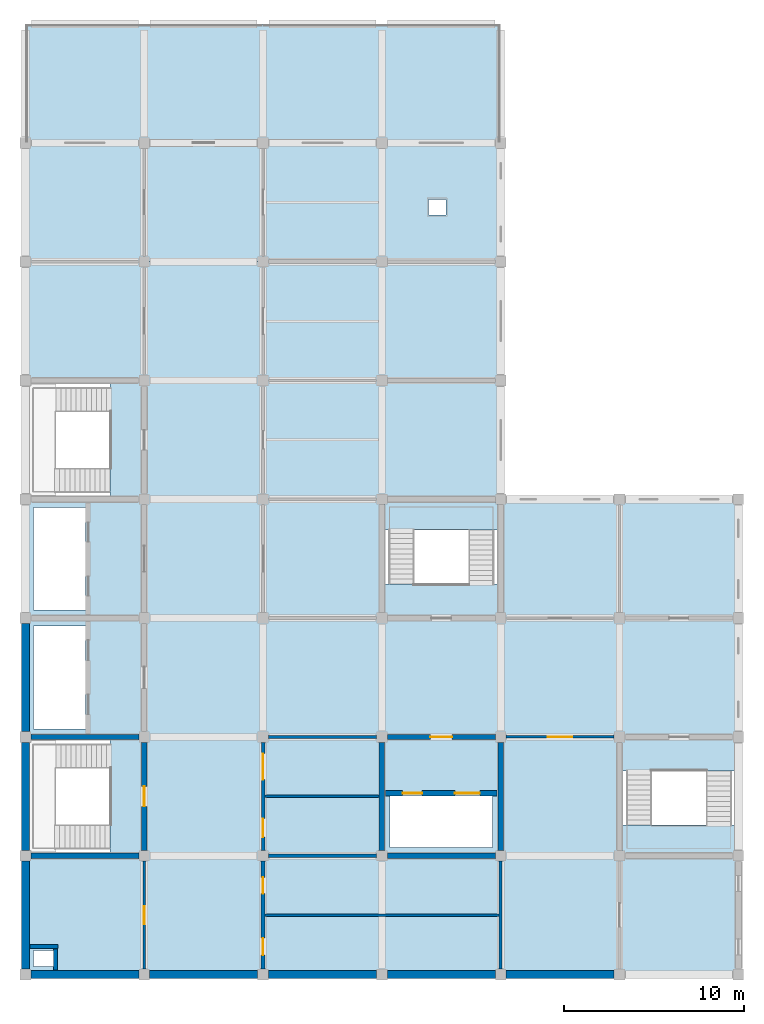
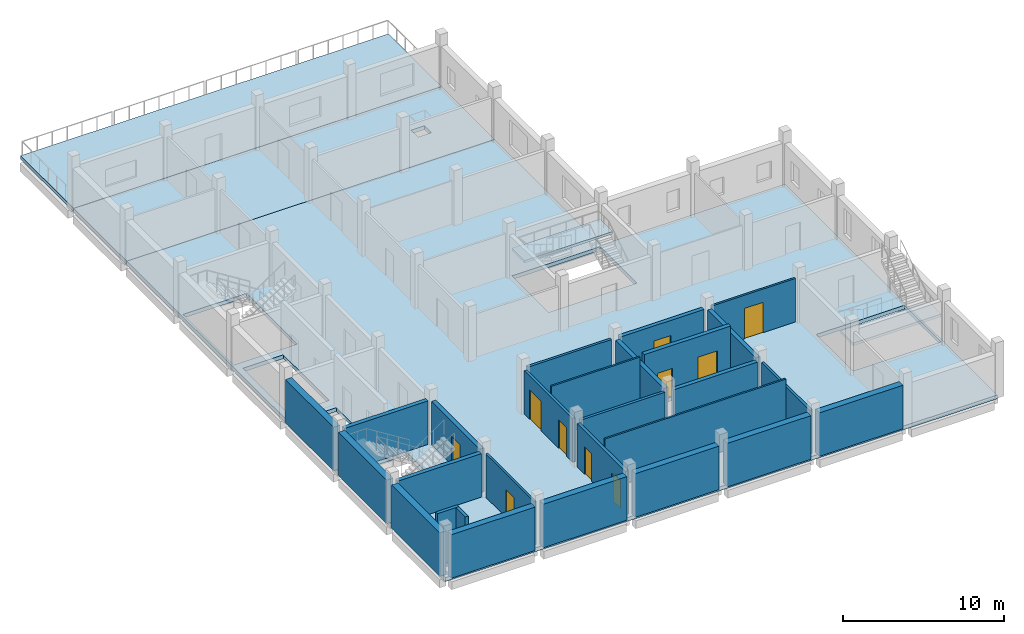
# One storey, part 2 of 7: 27 walls, 10 doors, 5 slabs, 10 openings, 2 elements without a shape of their own.
"""IFC4 building model written with IfcOpenShell, lengths in metres."""

from ifc_helpers import new_model, si_unit, direction, frame, frame_2d, origin, place, context, subcontext, project, spatial, polyline, rectangle, outline, extrude, material, layer, layer_set, type_object, element, fill, aggregate, save


model = new_model("IFC4")

# Units and contexts
model_context = context("Model", 3, precision=1e-05, world=origin(), true_north=direction((0.0, 1.0)))
body_context = subcontext(model_context, "Body", "Model", "MODEL_VIEW")
ifc_project = project(units=[si_unit("LENGTHUNIT", "METRE"), si_unit("AREAUNIT", "SQUARE_METRE"), si_unit("VOLUMEUNIT", "CUBIC_METRE"), si_unit("PLANEANGLEUNIT", "RADIAN"), si_unit("MASSUNIT", "GRAM", prefix="KILO")], contexts=[model_context])

# Site, building, storey
site_placement = place(None, origin())
site = spatial("IfcSite", under=ifc_project, at=site_placement, CompositionType="ELEMENT")
building_placement = place(site_placement, origin())
building = spatial("IfcBuilding", under=site, at=building_placement, Name="Rusizi Kubbe Research Institute", CompositionType="ELEMENT")
storey_placement = place(building_placement, frame((0.0, 0.0, 64.800048828125)))
storey = spatial("IfcBuildingStorey", under=building, at=storey_placement, Name="L15", CompositionType="ELEMENT", Elevation=64.800048828125)

# Slabs
ifc_material_1 = material(Name="Concrete C40/50", Category="concrete")
ifc_layer_1 = layer(ifc_material_1, 0.2900390625)
ifc_layer_set_1 = layer_set([ifc_layer_1], Name="Concrete C40/50")
slab_type_1 = type_object("IfcSlabType", Name="SL-F290", PredefinedType="FLOOR", material=ifc_layer_set_1)
slab_1_placement = place(storey_placement, frame((0.0, 0.0, -0.2900390625)))
element("IfcSlab", 1, at=slab_1_placement, inside=storey, type_object=slab_type_1, Name="Structural Slab L15 CORE", PredefinedType="FLOOR", context=body_context, shape_type="SweptSolid", body=[
    extrude(outline(polyline([(0.0, 33.0), (0.0, 39.60009765625), (6.60009765625, 39.60009765625), (13.199951171875, 39.60009765625), (19.800048828125, 39.60009765625), (26.39990234375, 39.60009765625), (26.39990234375, 33.0), (26.39990234375, 26.39990234375), (33.0, 26.39990234375), (39.60009765625, 26.39990234375), (39.60009765625, 19.800048828125), (39.60009765625, 13.199951171875), (39.60009765625, 6.60009765625), (39.60009765625, 0.0), (33.0, 0.0), (26.39990234375, 0.0), (19.800048828125, 0.0), (13.199951171875, 0.0), (6.60009765625, 0.0), (0.0, 0.0), (0.0, 6.60009765625), (0.0, 13.199951171875), (0.0, 19.800048828125), (0.0, 26.39990234375), (0.0, 33.0)]), holes=[polyline([(0.449951171875, 1.35009765625), (0.449951171875, 0.449951171875), (1.550048828125, 0.449951171875), (1.550048828125, 1.35009765625), (0.449951171875, 1.35009765625)]), polyline([(20.25, 9.949951171875), (20.25, 7.050048828125), (25.949951171875, 7.050048828125), (25.949951171875, 9.949951171875), (20.25, 9.949951171875)]), polyline([(33.139892578125, 11.300048828125), (33.139892578125, 6.739990234375), (39.4599609375, 6.739990234375), (39.4599609375, 11.300048828125), (33.139892578125, 11.300048828125)]), polyline([(0.139892578125, 13.06005859375), (0.139892578125, 6.739990234375), (4.699951171875, 6.739990234375), (4.699951171875, 13.06005859375), (0.139892578125, 13.06005859375)]), polyline([(0.449951171875, 19.35009765625), (0.449951171875, 13.64990234375), (3.35009765625, 13.64990234375), (3.35009765625, 19.35009765625), (0.449951171875, 19.35009765625)]), polyline([(0.449951171875, 25.949951171875), (0.449951171875, 20.25), (3.35009765625, 20.25), (3.35009765625, 25.949951171875), (0.449951171875, 25.949951171875)]), polyline([(19.93994140625, 26.260009765625), (19.93994140625, 21.699951171875), (26.260009765625, 21.699951171875), (26.260009765625, 26.260009765625), (19.93994140625, 26.260009765625)]), polyline([(0.139892578125, 32.860107421875), (0.139892578125, 26.5400390625), (4.699951171875, 26.5400390625), (4.699951171875, 32.860107421875), (0.139892578125, 32.860107421875)])]), origin(), (0.0, 0.0, 1.0), 0.2900390625),
])
slab_2_placement = place(storey_placement, frame((0.0, 0.0, -0.2900390625)))
element("IfcSlab", 2, at=slab_2_placement, inside=storey, type_object=slab_type_1, Name="Structural Slab L15 NORTHA", PredefinedType="FLOOR", context=body_context, shape_type="SweptSolid", body=[
    extrude(outline(polyline([(6.60009765625, 46.199951171875), (13.199951171875, 46.199951171875), (19.800048828125, 46.199951171875), (26.39990234375, 46.199951171875), (26.39990234375, 39.60009765625), (19.800048828125, 39.60009765625), (13.199951171875, 39.60009765625), (6.60009765625, 39.60009765625), (0.0, 39.60009765625), (0.0, 46.199951171875), (6.60009765625, 46.199951171875)]), holes=[polyline([(23.35009765625, 43.050048828125), (22.39990234375, 43.050048828125), (22.39990234375, 42.199951171875), (23.35009765625, 42.199951171875), (23.35009765625, 43.050048828125)])]), origin(), (0.0, 0.0, 1.0), 0.2900390625),
])

# Stair, slab
ifc_material_2 = material(Name="Concrete C40/50", Category="concrete")
stair_type = type_object("IfcStairType", Name="ST-H420B", PredefinedType="HALF_TURN_STAIR", material=ifc_material_2)
stair_1_placement = place(storey_placement, origin())
stair_1 = element("IfcStair", 3, at=stair_1_placement, inside=storey, type_object=stair_type, Name="Protected Exit Stair ST3 (L15)", PredefinedType="HALF_TURN_STAIR")
ifc_material_3 = material(Name="Concrete C40/50", Category="concrete")
ifc_layer_2 = layer(ifc_material_3, 0.195068359375)
ifc_layer_set_2 = layer_set([ifc_layer_2], Name="Concrete C40/50")
slab_type_2 = type_object("IfcSlabType", Name="SL-L195", PredefinedType="LANDING", material=ifc_layer_set_2)
slab_3_placement = place(storey_placement, frame((0.0, 0.0, 1.905029296875)))
slab_3 = element("IfcSlab", 4, at=slab_3_placement, type_object=slab_type_2, Name="ST3 landing 1", PredefinedType="LANDING", context=body_context, shape_type="SweptSolid", body=[
    extrude(outline(polyline([(26.260009765625, 24.694091796875), (26.260009765625, 26.260009765625), (19.93994140625, 26.260009765625), (19.93994140625, 24.694091796875), (26.260009765625, 24.694091796875)])), origin(), (0.0, 0.0, 1.0), 0.19482421875),
])
aggregate(stair_1, [slab_3])

stair_2_placement = place(storey_placement, origin())
stair_2 = element("IfcStair", 5, at=stair_2_placement, inside=storey, type_object=stair_type, Name="Protected Exit Stair ST4 (L15)", PredefinedType="HALF_TURN_STAIR")
slab_4_placement = place(storey_placement, frame((0.0, 0.0, 1.905029296875)))
slab_4 = element("IfcSlab", 6, at=slab_4_placement, type_object=slab_type_2, Name="ST4 landing 1", PredefinedType="LANDING", context=body_context, shape_type="SweptSolid", body=[
    extrude(outline(polyline([(33.139892578125, 8.305908203125), (33.139892578125, 6.739990234375), (39.4599609375, 6.739990234375), (39.4599609375, 8.305908203125), (33.139892578125, 8.305908203125)])), origin(), (0.0, 0.0, 1.0), 0.19482421875),
])
aggregate(stair_2, [slab_4])

# Slab
ifc_material_4 = material(Name="Concrete C40/50", Category="concrete")
ifc_layer_3 = layer(ifc_material_4, 0.264892578125)
ifc_layer_set_3 = layer_set([ifc_layer_3], Name="Concrete C40/50")
slab_type_3 = type_object("IfcSlabType", Name="SL-T265", PredefinedType="FLOOR", material=ifc_layer_set_3)
slab_5_placement = place(storey_placement, frame((0.0, 0.0, -0.26513671875)))
element("IfcSlab", 7, at=slab_5_placement, inside=storey, type_object=slab_type_3, Name="Walkable Roof Terrace Slab L15-1", PredefinedType="FLOOR", context=body_context, shape_type="SweptSolid", body=[
    extrude(outline(polyline([(6.60009765625, 52.800048828125), (13.199951171875, 52.800048828125), (19.800048828125, 52.800048828125), (26.39990234375, 52.800048828125), (26.39990234375, 46.205078125), (0.0, 46.205078125), (0.0, 52.800048828125), (6.60009765625, 52.800048828125)])), origin(), (0.0, 0.0, 1.0), 0.26513671875),
])

# Walls
ifc_material_5 = material(Name="Concrete C40/50", Category="concrete")
ifc_layer_4 = layer(ifc_material_5, 0.294921875)
ifc_layer_set_4 = layer_set([ifc_layer_4], Name="Concrete C40/50")
wall_type_1 = type_object("IfcWallType", Name="CRW-03", PredefinedType="SHEAR", material=ifc_layer_set_4)
for number, where, z_axis, x_axis, name in (
    (8, (0.300048828125, 6.60009765625, 0.0), (0.0, 0.0, 1.0), (1.0, 0.0, 0.0), "Stair Core Shear Wall ST1 L15 S"),
    (9, (0.300048828125, 13.199951171875, 0.0), (0.0, 0.0, 1.0), (1.0, 0.0, 0.0), "Stair Core Shear Wall ST1 L15 N"),
):
    element("IfcWall", number, at=place(storey_placement, frame(where, z_axis=z_axis, x_axis=x_axis)), inside=storey, type_object=wall_type_1, Name=name, PredefinedType="SHEAR", context=body_context, shape_type="SweptSolid", body=[
        extrude(rectangle(XDim=6.0, YDim=0.294921875, at=frame_2d((3.0, 0.0))), origin(), (0.0, 0.0, 1.0), 3.300048828125),
    ])

# Wall, opening, door
wall_1_placement = place(storey_placement, frame((6.60009765625, 6.89990234375, 0.0), z_axis=(0.0, 0.0, 1.0), x_axis=(0.0, 1.0, 0.0)))
wall_1 = element("IfcWall", 10, at=wall_1_placement, inside=storey, type_object=wall_type_1, Name="Stair Core Shear Wall ST1 L15 E", PredefinedType="SHEAR", context=body_context, shape_type="SweptSolid", body=[
    extrude(rectangle(XDim=6.0, YDim=0.294921875, at=frame_2d((3.0, 0.0))), origin(), (0.0, 0.0, 1.0), 3.300048828125),
])
opening_1_placement = place(wall_1_placement, frame((2.449951171875, 0.0, 0.0)))
opening_1 = element("IfcOpeningElement", 11, at=opening_1_placement, cuts=wall_1, Name="Opening D-01", PredefinedType="OPENING", context=body_context, shape_type="SweptSolid", body=[
    extrude(rectangle(XDim=1.10009765625, YDim=2.14990234375, at=frame_2d((0.550048828125, 1.074951171875))), frame((0.0, 0.157470703125, 0.0), z_axis=(0.0, -1.0, 0.0), x_axis=(1.0, 0.0, 0.0)), (0.0, 0.0, 1.0), 0.31494140625),
])
ifc_material_6 = material(Name="Fire-Rated Steel Frame and Acoustic Timber Leaf", Category="wood")
door_type_1 = type_object("IfcDoorType", Name="ID-STAIR-110", OperationType="NOTDEFINED", PredefinedType="DOOR", material=ifc_material_6)
door_1_placement = place(opening_1_placement, origin())
door_1 = element("IfcDoor", 12, at=door_1_placement, inside=storey, type_object=door_type_1, Name="Exit Stair Door ST1 L15", OperationType="SINGLE_SWING_LEFT", OverallHeight=2.14990234375, OverallWidth=1.10009765625, PredefinedType="DOOR", context=body_context, shape_type="SweptSolid", body=[
    extrude(rectangle(XDim=1.10009765625, YDim=2.14990234375, at=frame_2d((0.550048828125, 1.074951171875))), frame((0.0, 0.02490234375, 0.0), z_axis=(0.0, -1.0, 0.0), x_axis=(1.0, 0.0, 0.0)), (0.0, 0.0, 1.0), 0.050048828125),
])
fill(opening_1, door_1)

# Walls
for number, where, z_axis, x_axis, name in (
    (13, (20.10009765625, 6.60009765625, 0.0), (0.0, 0.0, 1.0), (1.0, 0.0, 0.0), "Lab Lift Core Wall S (3,1) L15"),
    (14, (19.800048828125, 6.89990234375, 0.0), (0.0, 0.0, 1.0), (0.0, 1.0, 0.0), "Lab Lift Core Wall W (3,1) L15"),
    (15, (26.39990234375, 6.89990234375, 0.0), (0.0, 0.0, 1.0), (0.0, 1.0, 0.0), "Lab Lift Core Wall E (3,1) L15"),
):
    element("IfcWall", number, at=place(storey_placement, frame(where, z_axis=z_axis, x_axis=x_axis)), inside=storey, type_object=wall_type_1, Name=name, PredefinedType="SHEAR", context=body_context, shape_type="SweptSolid", body=[
        extrude(rectangle(XDim=6.0, YDim=0.294921875, at=frame_2d((3.0, 0.0))), origin(), (0.0, 0.0, 1.0), 3.300048828125),
    ])

# Wall, openings, doors
wall_2_placement = place(storey_placement, frame((20.0, 10.080078125, 0.0), z_axis=(0.0, 0.0, 1.0), x_axis=(1.0, 0.0, 0.0)))
wall_2 = element("IfcWall", 16, at=wall_2_placement, inside=storey, type_object=wall_type_1, Name="Goods Lift Shaft Front Wall L15", PredefinedType="SHEAR", context=body_context, shape_type="SweptSolid", body=[
    extrude(rectangle(XDim=6.199951171875, YDim=0.294921875, at=frame_2d((3.10009765625, 0.0))), origin(), (0.0, 0.0, 1.0), 3.89990234375),
])
opening_2_placement = place(wall_2_placement, frame((0.949951171875, 0.0, 0.0)))
opening_2 = element("IfcOpeningElement", 17, at=opening_2_placement, cuts=wall_2, Name="Opening LD-05", PredefinedType="OPENING", context=body_context, shape_type="SweptSolid", body=[
    extrude(rectangle(XDim=1.080078125, YDim=2.14990234375, at=frame_2d((0.5400390625, 1.074951171875))), frame((0.0, 0.157470703125, 0.0), z_axis=(0.0, -1.0, 0.0), x_axis=(1.0, 0.0, 0.0)), (0.0, 0.0, 1.0), 0.31494140625),
])
opening_3_placement = place(wall_2_placement, frame((3.85009765625, 0.0, 0.0)))
opening_3 = element("IfcOpeningElement", 18, at=opening_3_placement, cuts=wall_2, Name="Opening LD-06", PredefinedType="OPENING", context=body_context, shape_type="SweptSolid", body=[
    extrude(rectangle(XDim=1.39990234375, YDim=2.35009765625, at=frame_2d((0.699951171875, 1.175048828125))), frame((0.0, 0.157470703125, 0.0), z_axis=(0.0, -1.0, 0.0), x_axis=(1.0, 0.0, 0.0)), (0.0, 0.0, 1.0), 0.31494140625),
])
ifc_material_7 = material(Name="Brushed Stainless Steel Sliding Door", Category="steel")
door_type_2 = type_object("IfcDoorType", Name="LD-05", OperationType="DOUBLE_DOOR_SLIDING", PredefinedType="USERDEFINED", material=ifc_material_7)
door_2_placement = place(opening_2_placement, origin())
door_2 = element("IfcDoor", 19, at=door_2_placement, inside=storey, type_object=door_type_2, Name="Lift Landing Sliding Door LP3 L15", ObjectType="SLIDING DOOR", OperationType="DOUBLE_DOOR_SLIDING", OverallHeight=2.14990234375, OverallWidth=1.080078125, PredefinedType="USERDEFINED", context=body_context, shape_type="SweptSolid", body=[
    extrude(rectangle(XDim=1.080078125, YDim=2.14990234375, at=frame_2d((0.5400390625, 1.074951171875))), frame((0.0, 0.02490234375, 0.0), z_axis=(0.0, -1.0, 0.0), x_axis=(1.0, 0.0, 0.0)), (0.0, 0.0, 1.0), 0.050048828125),
])
fill(opening_2, door_2)
ifc_material_8 = material(Name="Brushed Stainless Steel Sliding Door", Category="steel")
door_type_3 = type_object("IfcDoorType", Name="LD-06", OperationType="DOUBLE_DOOR_SLIDING", PredefinedType="USERDEFINED", material=ifc_material_8)
door_3_placement = place(opening_3_placement, origin())
door_3 = element("IfcDoor", 20, at=door_3_placement, inside=storey, type_object=door_type_3, Name="Lift Landing Sliding Door LG1 L15", ObjectType="SLIDING DOOR", OperationType="DOUBLE_DOOR_SLIDING", OverallHeight=2.35009765625, OverallWidth=1.39990234375, PredefinedType="USERDEFINED", context=body_context, shape_type="SweptSolid", body=[
    extrude(rectangle(XDim=1.39990234375, YDim=2.35009765625, at=frame_2d((0.699951171875, 1.175048828125))), frame((0.0, 0.02490234375, 0.0), z_axis=(0.0, -1.0, 0.0), x_axis=(1.0, 0.0, 0.0)), (0.0, 0.0, 1.0), 0.050048828125),
])
fill(opening_3, door_3)

# Walls
ifc_material_9 = material(Name="Concrete Blockwork Fire Partition", Category="masonry")
ifc_layer_5 = layer(ifc_material_9, 0.22509765625)
ifc_layer_set_5 = layer_set([ifc_layer_5], Name="Concrete Blockwork Fire Partition")
wall_type_2 = type_object("IfcWallType", Name="IW-01", PredefinedType="PARTITIONING", material=ifc_layer_set_5)
wall_3_placement = place(storey_placement, frame((1.679931640625, 0.260009765625, 0.0), z_axis=(0.0, 0.0, 1.0), x_axis=(0.0, 1.0, 0.0)))
element("IfcWall", 21, at=wall_3_placement, inside=storey, type_object=wall_type_2, Name="Riser Shaft Wall E L15", PredefinedType="PARTITIONING", context=body_context, shape_type="SweptSolid", body=[
    extrude(rectangle(XDim=1.169921875, YDim=0.22509765625, at=frame_2d((0.5849609375, 0.0))), origin(), (0.0, 0.0, 1.0), 3.89990234375),
])
wall_4_placement = place(storey_placement, frame((0.260009765625, 1.550048828125, 0.0), z_axis=(0.0, 0.0, 1.0), x_axis=(1.0, 0.0, 0.0)))
element("IfcWall", 22, at=wall_4_placement, inside=storey, type_object=wall_type_2, Name="Riser Shaft Wall N L15", PredefinedType="PARTITIONING", context=body_context, shape_type="SweptSolid", body=[
    extrude(rectangle(XDim=1.5400390625, YDim=0.22509765625, at=frame_2d((0.77001953125, 0.0))), origin(), (0.0, 0.0, 1.0), 3.89990234375),
])

# Wall, openings, doors
wall_5_placement = place(storey_placement, frame((13.199951171875, 0.300048828125, 0.0), z_axis=(0.0, 0.0, 1.0), x_axis=(0.0, 1.0, 0.0)))
wall_5 = element("IfcWall", 23, at=wall_5_placement, inside=storey, type_object=wall_type_2, Name="Sanitary Core West Corridor Wall L15", PredefinedType="PARTITIONING", context=body_context, shape_type="SweptSolid", body=[
    extrude(rectangle(XDim=6.0, YDim=0.22509765625, at=frame_2d((3.0, 0.0))), origin(), (0.0, 0.0, 1.0), 3.300048828125),
])
opening_4_placement = place(wall_5_placement, frame((0.77490234375, 0.0, 0.0)))
opening_4 = element("IfcOpeningElement", 24, at=opening_4_placement, cuts=wall_5, Name="Opening D-06", PredefinedType="OPENING", context=body_context, shape_type="SweptSolid", body=[
    extrude(rectangle(XDim=0.949951171875, YDim=2.10009765625, at=frame_2d((0.47509765625, 1.050048828125))), frame((0.0, 0.12255859375, 0.0), z_axis=(0.0, -1.0, 0.0), x_axis=(1.0, 0.0, 0.0)), (0.0, 0.0, 1.0), 0.2451171875),
])
opening_5_placement = place(wall_5_placement, frame((4.199951171875, 0.0, 0.0)))
opening_5 = element("IfcOpeningElement", 25, at=opening_5_placement, cuts=wall_5, Name="Opening D-05", PredefinedType="OPENING", context=body_context, shape_type="SweptSolid", body=[
    extrude(rectangle(XDim=0.89990234375, YDim=2.10009765625, at=frame_2d((0.449951171875, 1.050048828125))), frame((0.0, 0.12255859375, 0.0), z_axis=(0.0, -1.0, 0.0), x_axis=(1.0, 0.0, 0.0)), (0.0, 0.0, 1.0), 0.2451171875),
])
ifc_material_10 = material(Name="Fire-Rated Steel Frame and Acoustic Timber Leaf", Category="wood")
door_type_4 = type_object("IfcDoorType", Name="ID-WC-900", OperationType="NOTDEFINED", PredefinedType="DOOR", material=ifc_material_10)
door_4_placement = place(opening_5_placement, origin())
door_4 = element("IfcDoor", 26, at=door_4_placement, inside=storey, type_object=door_type_4, Name="Door to Female Toilet Room (L15-WC-F)", OperationType="SINGLE_SWING_LEFT", OverallHeight=2.10009765625, OverallWidth=0.89990234375, PredefinedType="DOOR", context=body_context, shape_type="SweptSolid", body=[
    extrude(rectangle(XDim=0.89990234375, YDim=2.10009765625, at=frame_2d((0.449951171875, 1.050048828125))), frame((0.0, 0.02490234375, 0.0), z_axis=(0.0, -1.0, 0.0), x_axis=(1.0, 0.0, 0.0)), (0.0, 0.0, 1.0), 0.050048828125),
])
fill(opening_5, door_4)
ifc_material_11 = material(Name="Fire-Rated Steel Frame and Acoustic Timber Leaf", Category="wood")
door_type_5 = type_object("IfcDoorType", Name="ID-WC-950", OperationType="NOTDEFINED", PredefinedType="DOOR", material=ifc_material_11)
door_5_placement = place(opening_4_placement, origin())
door_5 = element("IfcDoor", 27, at=door_5_placement, inside=storey, type_object=door_type_5, Name="Door to Male Toilet Room (L15-WC-M)", OperationType="SINGLE_SWING_RIGHT", OverallHeight=2.10009765625, OverallWidth=0.949951171875, PredefinedType="DOOR", context=body_context, shape_type="SweptSolid", body=[
    extrude(rectangle(XDim=0.949951171875, YDim=2.10009765625, at=frame_2d((0.47509765625, 1.050048828125))), frame((0.0, 0.02490234375, 0.0), z_axis=(0.0, -1.0, 0.0), x_axis=(1.0, 0.0, 0.0)), (0.0, 0.0, 1.0), 0.050048828125),
])
fill(opening_4, door_5)

# Wall
ifc_material_12 = material(Name="Insulated Cleanroom Partition", Category="masonry")
ifc_layer_6 = layer(ifc_material_12, 0.195068359375)
ifc_layer_set_6 = layer_set([ifc_layer_6], Name="Insulated Cleanroom Partition")
wall_type_3 = type_object("IfcWallType", Name="IW-02", PredefinedType="PARTITIONING", material=ifc_layer_set_6)
wall_6_placement = place(storey_placement, frame((13.5, 6.60009765625, 0.0), z_axis=(0.0, 0.0, 1.0), x_axis=(1.0, 0.0, 0.0)))
element("IfcWall", 28, at=wall_6_placement, inside=storey, type_object=wall_type_3, Name="Sanitary Core North Divider Wall L15", PredefinedType="PARTITIONING", context=body_context, shape_type="SweptSolid", body=[
    extrude(rectangle(XDim=6.0, YDim=0.195068359375, at=frame_2d((3.0, 0.0))), origin(), (0.0, 0.0, 1.0), 3.300048828125),
])

# Wall, openings, doors
wall_7_placement = place(storey_placement, frame((13.199951171875, 6.89990234375, 0.0), z_axis=(0.0, 0.0, 1.0), x_axis=(0.0, 1.0, 0.0)))
wall_7 = element("IfcWall", 29, at=wall_7_placement, inside=storey, type_object=wall_type_3, Name="Accessible WC and Store West Wall L15", PredefinedType="PARTITIONING", context=body_context, shape_type="SweptSolid", body=[
    extrude(rectangle(XDim=6.0, YDim=0.195068359375, at=frame_2d((3.0, 0.0))), origin(), (0.0, 0.0, 1.0), 3.300048828125),
])
opening_6_placement = place(wall_7_placement, frame((0.739990234375, 0.0, 0.0)))
opening_6 = element("IfcOpeningElement", 30, at=opening_6_placement, cuts=wall_7, Name="Opening D-07", PredefinedType="OPENING", context=body_context, shape_type="SweptSolid", body=[
    extrude(rectangle(XDim=1.02001953125, YDim=2.14990234375, at=frame_2d((0.510009765625, 1.074951171875))), frame((0.0, 0.107421875, 0.0), z_axis=(0.0, -1.0, 0.0), x_axis=(1.0, 0.0, 0.0)), (0.0, 0.0, 1.0), 0.215087890625),
])
opening_7_placement = place(wall_7_placement, frame((3.925048828125, 0.0, 0.0)))
opening_7 = element("IfcOpeningElement", 31, at=opening_7_placement, cuts=wall_7, Name="Opening D-11", PredefinedType="OPENING", context=body_context, shape_type="SweptSolid", body=[
    extrude(rectangle(XDim=1.449951171875, YDim=2.25, at=frame_2d((0.72509765625, 1.125))), frame((0.0, 0.107421875, 0.0), z_axis=(0.0, -1.0, 0.0), x_axis=(1.0, 0.0, 0.0)), (0.0, 0.0, 1.0), 0.215087890625),
])
ifc_material_13 = material(Name="Fire-Rated Steel Frame and Acoustic Timber Leaf", Category="wood")
door_type_6 = type_object("IfcDoorType", Name="ID-LAB-145", OperationType="NOTDEFINED", PredefinedType="DOOR", material=ifc_material_13)
door_6_placement = place(opening_7_placement, origin())
door_6 = element("IfcDoor", 32, at=door_6_placement, inside=storey, type_object=door_type_6, Name="Door to Laboratory Reagent Store (L15-STR-01)", OperationType="SINGLE_SWING_LEFT", OverallHeight=2.25, OverallWidth=1.449951171875, PredefinedType="DOOR", context=body_context, shape_type="SweptSolid", body=[
    extrude(rectangle(XDim=1.449951171875, YDim=2.25, at=frame_2d((0.72509765625, 1.125))), frame((0.0, 0.02490234375, 0.0), z_axis=(0.0, -1.0, 0.0), x_axis=(1.0, 0.0, 0.0)), (0.0, 0.0, 1.0), 0.050048828125),
])
fill(opening_7, door_6)
ifc_material_14 = material(Name="Fire-Rated Steel Frame and Acoustic Timber Leaf", Category="wood")
door_type_7 = type_object("IfcDoorType", Name="ID-WC-ACC", OperationType="NOTDEFINED", PredefinedType="DOOR", material=ifc_material_14)
door_7_placement = place(opening_6_placement, origin())
door_7 = element("IfcDoor", 33, at=door_7_placement, inside=storey, type_object=door_type_7, Name="Door to Accessible Toilet Room (L15-WC-ACC)", OperationType="SINGLE_SWING_LEFT", OverallHeight=2.14990234375, OverallWidth=1.02001953125, PredefinedType="DOOR", context=body_context, shape_type="SweptSolid", body=[
    extrude(rectangle(XDim=1.02001953125, YDim=2.14990234375, at=frame_2d((0.510009765625, 1.074951171875))), frame((0.0, 0.02490234375, 0.0), z_axis=(0.0, -1.0, 0.0), x_axis=(1.0, 0.0, 0.0)), (0.0, 0.0, 1.0), 0.050048828125),
])
fill(opening_6, door_7)

# Walls
ifc_material_15 = material(Name="Acoustic Laboratory Partition", Category="masonry")
ifc_layer_7 = layer(ifc_material_15, 0.175048828125)
ifc_layer_set_7 = layer_set([ifc_layer_7], Name="Acoustic Laboratory Partition")
wall_type_4 = type_object("IfcWallType", Name="IW-03", PredefinedType="PARTITIONING", material=ifc_layer_set_7)
for number, where, z_axis, x_axis, name in (
    (34, (26.39990234375, 0.300048828125, 0.0), (0.0, 0.0, 1.0), (0.0, 1.0, 0.0), "Sanitary Core East Enclosing Wall L15"),
    (35, (13.5, 13.199951171875, 0.0), (0.0, 0.0, 1.0), (1.0, 0.0, 0.0), "Reagent Store North Corridor Wall L15"),
):
    element("IfcWall", number, at=place(storey_placement, frame(where, z_axis=z_axis, x_axis=x_axis)), inside=storey, type_object=wall_type_4, Name=name, PredefinedType="PARTITIONING", context=body_context, shape_type="SweptSolid", body=[
        extrude(rectangle(XDim=6.0, YDim=0.175048828125, at=frame_2d((3.0, 0.0))), origin(), (0.0, 0.0, 1.0), 3.300048828125),
    ])

# Wall, opening, door
ifc_material_16 = material(Name="Write-up Glazed Acoustic Partition", Category="masonry")
ifc_layer_8 = layer(ifc_material_16, 0.139892578125)
ifc_layer_set_8 = layer_set([ifc_layer_8], Name="Write-up Glazed Acoustic Partition")
wall_type_5 = type_object("IfcWallType", Name="IW-05", PredefinedType="PARTITIONING", material=ifc_layer_set_8)
wall_8_placement = place(storey_placement, frame((6.60009765625, 0.300048828125, 0.0), z_axis=(0.0, 0.0, 1.0), x_axis=(0.0, 1.0, 0.0)))
wall_8 = element("IfcWall", 36, at=wall_8_placement, inside=storey, type_object=wall_type_5, Name="Interior Partition Wall L15 V1-0", PredefinedType="PARTITIONING", context=body_context, shape_type="SweptSolid", body=[
    extrude(rectangle(XDim=6.0, YDim=0.139892578125, at=frame_2d((3.0, 0.0))), origin(), (0.0, 0.0, 1.0), 3.300048828125),
])
opening_8_placement = place(wall_8_placement, frame((2.5, 0.0, 0.0)))
opening_8 = element("IfcOpeningElement", 37, at=opening_8_placement, cuts=wall_8, Name="Opening D-04", PredefinedType="OPENING", context=body_context, shape_type="SweptSolid", body=[
    extrude(rectangle(XDim=1.0, YDim=2.10009765625, at=frame_2d((0.5, 1.050048828125))), frame((0.0, 0.079833984375, 0.0), z_axis=(0.0, -1.0, 0.0), x_axis=(1.0, 0.0, 0.0)), (0.0, 0.0, 1.0), 0.159912109375),
])
ifc_material_17 = material(Name="Fire-Rated Steel Frame and Acoustic Timber Leaf", Category="wood")
door_type_8 = type_object("IfcDoorType", Name="ID-MEP-100", OperationType="NOTDEFINED", PredefinedType="DOOR", material=ifc_material_17)
door_8_placement = place(opening_8_placement, origin())
door_8 = element("IfcDoor", 38, at=door_8_placement, inside=storey, type_object=door_type_8, Name="Door to Service Spine Utility Riser Room (L15-MEP-01)", OperationType="SINGLE_SWING_RIGHT", OverallHeight=2.10009765625, OverallWidth=1.0, PredefinedType="DOOR", context=body_context, shape_type="SweptSolid", body=[
    extrude(rectangle(XDim=1.0, YDim=2.10009765625, at=frame_2d((0.5, 1.050048828125))), frame((0.0, 0.02490234375, 0.0), z_axis=(0.0, -1.0, 0.0), x_axis=(1.0, 0.0, 0.0)), (0.0, 0.0, 1.0), 0.050048828125),
])
fill(opening_8, door_8)

wall_9_placement = place(storey_placement, frame((26.699951171875, 13.199951171875, 0.0), z_axis=(0.0, 0.0, 1.0), x_axis=(1.0, 0.0, 0.0)))
wall_9 = element("IfcWall", 39, at=wall_9_placement, inside=storey, type_object=wall_type_5, Name="Interior Partition Wall L15 H4-2", PredefinedType="PARTITIONING", context=body_context, shape_type="SweptSolid", body=[
    extrude(rectangle(XDim=6.0, YDim=0.139892578125, at=frame_2d((3.0, 0.0))), origin(), (0.0, 0.0, 1.0), 3.300048828125),
])
opening_9_placement = place(wall_9_placement, frame((2.324951171875, 0.0, 0.0)))
opening_9 = element("IfcOpeningElement", 40, at=opening_9_placement, cuts=wall_9, Name="Opening D-13", PredefinedType="OPENING", context=body_context, shape_type="SweptSolid", body=[
    extrude(rectangle(XDim=1.35009765625, YDim=2.300048828125, at=frame_2d((0.675048828125, 1.14990234375))), frame((0.0, 0.079833984375, 0.0), z_axis=(0.0, -1.0, 0.0), x_axis=(1.0, 0.0, 0.0)), (0.0, 0.0, 1.0), 0.159912109375),
])
ifc_material_18 = material(Name="Fire-Rated Steel Frame and Acoustic Timber Leaf", Category="wood")
door_type_9 = type_object("IfcDoorType", Name="ID-LAB-135", OperationType="NOTDEFINED", PredefinedType="DOOR", material=ifc_material_18)
door_9_placement = place(opening_9_placement, origin())
door_9 = element("IfcDoor", 41, at=door_9_placement, inside=storey, type_object=door_type_9, Name="Door to Clean Room Process Suite (L15-EWS-01)", OperationType="SINGLE_SWING_LEFT", OverallHeight=2.300048828125, OverallWidth=1.35009765625, PredefinedType="DOOR", context=body_context, shape_type="SweptSolid", body=[
    extrude(rectangle(XDim=1.35009765625, YDim=2.300048828125, at=frame_2d((0.675048828125, 1.14990234375))), frame((0.0, 0.02490234375, 0.0), z_axis=(0.0, -1.0, 0.0), x_axis=(1.0, 0.0, 0.0)), (0.0, 0.0, 1.0), 0.050048828125),
])
fill(opening_9, door_9)

# Walls
ifc_material_19 = material(Name="Sanitary Wet-Wall Partition", Category="masonry")
ifc_layer_9 = layer(ifc_material_19, 0.125)
ifc_layer_set_9 = layer_set([ifc_layer_9], Name="Sanitary Wet-Wall Partition")
wall_type_6 = type_object("IfcWallType", Name="IW-06", PredefinedType="PARTITIONING", material=ifc_layer_set_9)
wall_10_placement = place(storey_placement, frame((13.3173828125, 3.300048828125, 0.0), z_axis=(0.0, 0.0, 1.0), x_axis=(1.0, 0.0, 0.0)))
element("IfcWall", 42, at=wall_10_placement, inside=storey, type_object=wall_type_6, Name="Sanitary Divider Wall L15-1", PredefinedType="PARTITIONING", context=body_context, shape_type="SweptSolid", body=[
    extrude(rectangle(XDim=12.990234375, YDim=0.125, at=frame_2d((6.4951171875, 0.0))), origin(), (0.0, 0.0, 1.0), 3.89990234375),
])
wall_11_placement = place(storey_placement, frame((13.302490234375, 9.89990234375, 0.0), z_axis=(0.0, 0.0, 1.0), x_axis=(1.0, 0.0, 0.0)))
element("IfcWall", 43, at=wall_11_placement, inside=storey, type_object=wall_type_6, Name="Sanitary Divider Wall L15-2", PredefinedType="PARTITIONING", context=body_context, shape_type="SweptSolid", body=[
    extrude(rectangle(XDim=6.344970703125, YDim=0.125, at=frame_2d((3.17236328125, 0.0))), origin(), (0.0, 0.0, 1.0), 3.89990234375),
])
ifc_material_20 = material(Name="Concrete C40/50", Category="concrete")
ifc_layer_10 = layer(ifc_material_20, 0.4599609375)
ifc_layer_set_10 = layer_set([ifc_layer_10], Name="Concrete C40/50")
wall_type_7 = type_object("IfcWallType", Name="PW-02", PredefinedType="SOLIDWALL", material=ifc_layer_set_10)
for number, where, z_axis, x_axis, name in (
    (44, (0.300048828125, 0.0, 0.0), (0.0, 0.0, 1.0), (1.0, 0.0, 0.0), "Blind Party Wall L15 H0-0"),
    (45, (0.0, 0.300048828125, 0.0), (0.0, 0.0, 1.0), (0.0, 1.0, 0.0), "Blind Party Wall L15 V0-0"),
    (46, (0.0, 6.89990234375, 0.0), (0.0, 0.0, 1.0), (0.0, 1.0, 0.0), "Blind Party Wall L15 V0-1"),
    (47, (0.0, 13.5, 0.0), (0.0, 0.0, 1.0), (0.0, 1.0, 0.0), "Blind Party Wall L15 V0-2"),
    (48, (6.89990234375, 0.0, 0.0), (0.0, 0.0, 1.0), (1.0, 0.0, 0.0), "Blind Party Wall L15 H1-0"),
    (49, (13.5, 0.0, 0.0), (0.0, 0.0, 1.0), (1.0, 0.0, 0.0), "Blind Party Wall L15 H2-0"),
    (50, (20.10009765625, 0.0, 0.0), (0.0, 0.0, 1.0), (1.0, 0.0, 0.0), "Blind Party Wall L15 H3-0"),
    (51, (26.699951171875, 0.0, 0.0), (0.0, 0.0, 1.0), (1.0, 0.0, 0.0), "Blind Party Wall L15 H4-0"),
):
    element("IfcWall", number, at=place(storey_placement, frame(where, z_axis=z_axis, x_axis=x_axis)), inside=storey, type_object=wall_type_7, Name=name, PredefinedType="SOLIDWALL", context=body_context, shape_type="SweptSolid", body=[
        extrude(rectangle(XDim=6.0, YDim=0.4599609375, at=frame_2d((3.0, 0.0))), origin(), (0.0, 0.0, 1.0), 3.300048828125),
    ])

# Wall, opening, door
ifc_material_21 = material(Name="Concrete C40/50", Category="concrete")
ifc_layer_11 = layer(ifc_material_21, 0.27490234375)
ifc_layer_set_11 = layer_set([ifc_layer_11], Name="Concrete C40/50")
wall_type_8 = type_object("IfcWallType", Name="SHW-01", PredefinedType="SHEAR", material=ifc_layer_set_11)
wall_12_placement = place(storey_placement, frame((20.10009765625, 13.199951171875, 0.0), z_axis=(0.0, 0.0, 1.0), x_axis=(1.0, 0.0, 0.0)))
wall_12 = element("IfcWall", 52, at=wall_12_placement, inside=storey, type_object=wall_type_8, Name="Goods Lift Lobby Wall L15", PredefinedType="SHEAR", context=body_context, shape_type="SweptSolid", body=[
    extrude(rectangle(XDim=6.0, YDim=0.27490234375, at=frame_2d((3.0, 0.0))), origin(), (0.0, 0.0, 1.0), 3.300048828125),
])
opening_10_placement = place(wall_12_placement, frame((2.389892578125, 0.0, 0.0)))
opening_10 = element("IfcOpeningElement", 53, at=opening_10_placement, cuts=wall_12, Name="Opening D-21", PredefinedType="OPENING", context=body_context, shape_type="SweptSolid", body=[
    extrude(rectangle(XDim=1.219970703125, YDim=2.14990234375, at=frame_2d((0.60986328125, 1.074951171875))), frame((0.0, 0.1474609375, 0.0), z_axis=(0.0, -1.0, 0.0), x_axis=(1.0, 0.0, 0.0)), (0.0, 0.0, 1.0), 0.294921875),
])
ifc_material_22 = material(Name="Fire-Rated Steel Frame and Acoustic Timber Leaf", Category="wood")
door_type_10 = type_object("IfcDoorType", Name="ID-STR-122", OperationType="NOTDEFINED", PredefinedType="DOOR", material=ifc_material_22)
door_10_placement = place(opening_10_placement, origin())
door_10 = element("IfcDoor", 54, at=door_10_placement, inside=storey, type_object=door_type_10, Name="Door to Laboratory Goods Lift Lobby (L15-GLB-01)", OperationType="SINGLE_SWING_RIGHT", OverallHeight=2.14990234375, OverallWidth=1.219970703125, PredefinedType="DOOR", context=body_context, shape_type="SweptSolid", body=[
    extrude(rectangle(XDim=1.219970703125, YDim=2.14990234375, at=frame_2d((0.60986328125, 1.074951171875))), frame((0.0, 0.02490234375, 0.0), z_axis=(0.0, -1.0, 0.0), x_axis=(1.0, 0.0, 0.0)), (0.0, 0.0, 1.0), 0.050048828125),
])
fill(opening_10, door_10)

save(model, "model.ifc")
